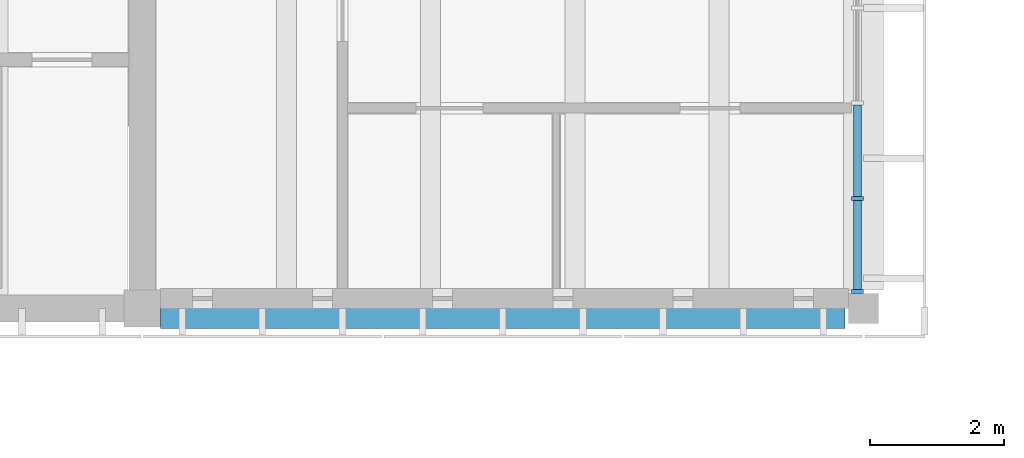
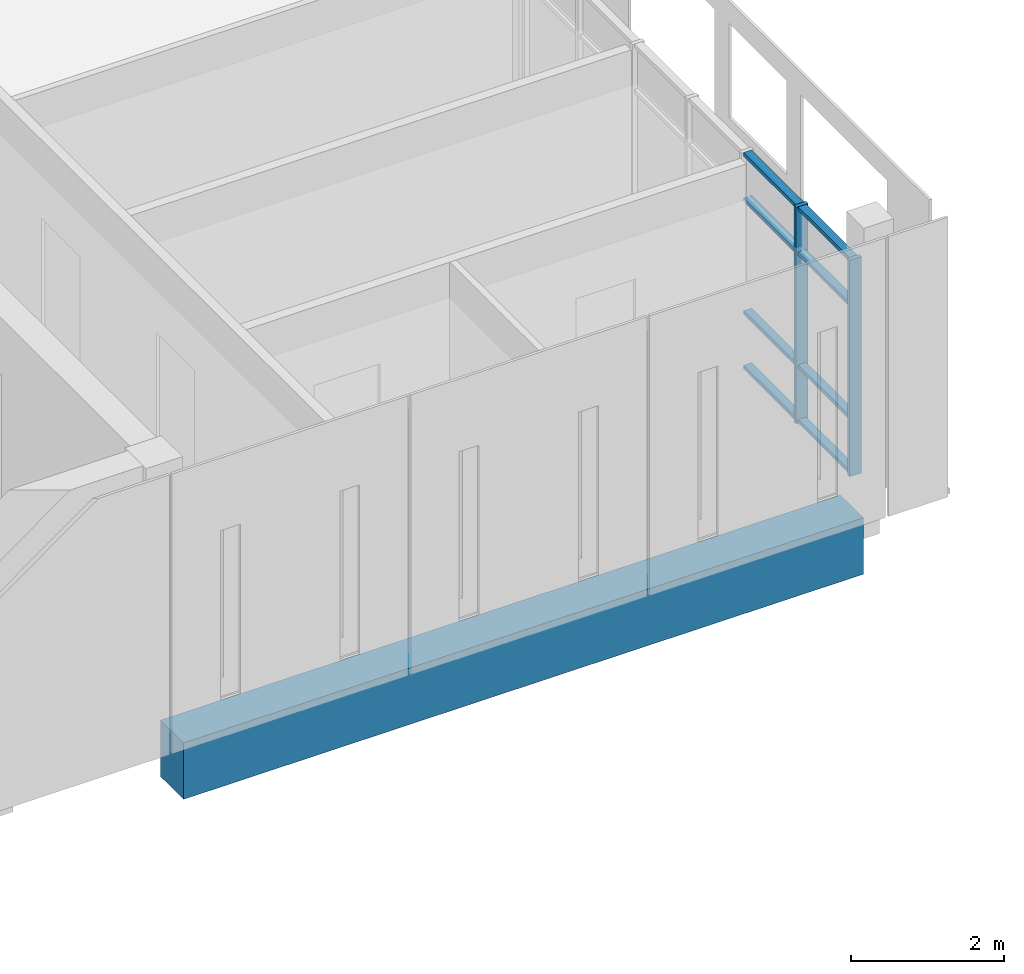
# One storey, part 5 of 50: 10 members, 1 beam, 1 element without a shape of its own.
"""IFC4 building model written with IfcOpenShell, lengths in metres."""

from ifc_helpers import new_model, si_unit, direction, frame, origin, origin_2d, place, context, subcontext, project, spatial, rectangle, extrude, material, material_profile, profile_set, type_object, element, aggregate, save


model = new_model("IFC4")

# Units and contexts
model_context = context("Model", 3, precision=1e-05, world=origin(), true_north=direction((0.0, 1.0)))
body_context = subcontext(model_context, "Body", "Model", "MODEL_VIEW")
ifc_project = project(units=[si_unit("LENGTHUNIT", "METRE"), si_unit("AREAUNIT", "SQUARE_METRE"), si_unit("VOLUMEUNIT", "CUBIC_METRE"), si_unit("PLANEANGLEUNIT", "RADIAN"), si_unit("MASSUNIT", "GRAM", prefix="KILO")], contexts=[model_context])

# Site, building, storey
site_placement = place(None, origin())
site = spatial("IfcSite", under=ifc_project, at=site_placement, CompositionType="ELEMENT")
building_placement = place(site_placement, origin())
building = spatial("IfcBuilding", under=site, at=building_placement, Name="Merrow Basin Faculty of Sciences", CompositionType="ELEMENT")
storey_placement = place(building_placement, frame((0.0, 0.0, 18.0)))
storey = spatial("IfcBuildingStorey", under=building, at=storey_placement, Name="L04", CompositionType="ELEMENT", Elevation=18.0)

# Curtain wall, members
ifc_material_1 = material(Name="Aluminium alloy 6063", Category="aluminium")
curtain_wall_type = type_object("IfcCurtainWallType", Name="Bar unitised curtain wall 180", PredefinedType="NOTDEFINED", material=ifc_material_1)
curtain_wall_placement = place(storey_placement, origin())
curtain_wall = element("IfcCurtainWall", 1, at=curtain_wall_placement, inside=storey, type_object=curtain_wall_type, Name="East curtain wall L04 1", PredefinedType="NOTDEFINED")
ifc_material_2 = material(Name="Aluminium alloy 6063", Category="aluminium")
ifc_material_profile_1 = material_profile(ifc_material_2, rectangle(XDim=0.179931640625, YDim=0.06005859375, at=origin_2d()))
ifc_profile_set_1 = profile_set([ifc_material_profile_1], Name="Aluminium alloy 6063")
member_type_1 = type_object("IfcMemberType", Name="Aluminium mullion 60x180", PredefinedType="MULLION", material=ifc_profile_set_1)
member_1_placement = place(storey_placement, frame((21.510009765625, 61.2548828125, 0.0), z_axis=(0.0, 0.0, 1.0), x_axis=(-1.0, 0.0, 0.0)))
member_1 = element("IfcMember", 2, at=member_1_placement, type_object=member_type_1, Name="CW1 mullion 1", PredefinedType="MULLION", context=body_context, shape_type="SweptSolid", body=[
    extrude(rectangle(XDim=0.179931640625, YDim=0.06005859375, at=origin_2d()), origin(), (0.0, 0.0, 1.0), 3.449951171875),
])
member_2_placement = place(storey_placement, frame((21.510009765625, 62.64990234375, 0.0), z_axis=(0.0, 0.0, 1.0), x_axis=(-1.0, 0.0, 0.0)))
member_2 = element("IfcMember", 3, at=member_2_placement, type_object=member_type_1, Name="CW1 mullion 2", PredefinedType="MULLION", context=body_context, shape_type="SweptSolid", body=[
    extrude(rectangle(XDim=0.179931640625, YDim=0.06005859375, at=origin_2d()), origin(), (0.0, 0.0, 1.0), 3.449951171875),
])
ifc_material_3 = material(Name="Aluminium alloy 6063", Category="aluminium")
ifc_material_profile_2 = material_profile(ifc_material_3, rectangle(XDim=0.1201171875, YDim=0.06005859375, at=origin_2d()))
ifc_profile_set_2 = profile_set([ifc_material_profile_2], Name="Aluminium alloy 6063")
member_type_2 = type_object("IfcMemberType", Name="Aluminium transom 60x120", PredefinedType="USERDEFINED", material=ifc_profile_set_2)
member_3_placement = place(storey_placement, frame((21.510009765625, 61.284912109375, 0.030029296875), z_axis=(0.0, 1.0, 0.0), x_axis=(-1.0, 0.0, 0.0)))
member_3 = element("IfcMember", 4, at=member_3_placement, type_object=member_type_2, Name="CW1 transom 1.1", ObjectType="TRANSOM", PredefinedType="USERDEFINED", context=body_context, shape_type="SweptSolid", body=[
    extrude(rectangle(XDim=0.1201171875, YDim=0.06005859375, at=origin_2d()), origin(), (0.0, 0.0, 1.0), 1.335205078125),
])
member_4_placement = place(storey_placement, frame((21.510009765625, 61.284912109375, 0.89990234375), z_axis=(0.0, 1.0, 0.0), x_axis=(-1.0, 0.0, 0.0)))
member_4 = element("IfcMember", 5, at=member_4_placement, type_object=member_type_2, Name="CW1 transom 1.2", ObjectType="TRANSOM", PredefinedType="USERDEFINED", context=body_context, shape_type="SweptSolid", body=[
    extrude(rectangle(XDim=0.1201171875, YDim=0.06005859375, at=origin_2d()), origin(), (0.0, 0.0, 1.0), 1.335205078125),
])
member_5_placement = place(storey_placement, frame((21.510009765625, 61.284912109375, 2.699951171875), z_axis=(0.0, 1.0, 0.0), x_axis=(-1.0, 0.0, 0.0)))
member_5 = element("IfcMember", 6, at=member_5_placement, type_object=member_type_2, Name="CW1 transom 1.3", ObjectType="TRANSOM", PredefinedType="USERDEFINED", context=body_context, shape_type="SweptSolid", body=[
    extrude(rectangle(XDim=0.1201171875, YDim=0.06005859375, at=origin_2d()), origin(), (0.0, 0.0, 1.0), 1.335205078125),
])
member_6_placement = place(storey_placement, frame((21.510009765625, 61.284912109375, 3.419921875), z_axis=(0.0, 1.0, 0.0), x_axis=(-1.0, 0.0, 0.0)))
member_6 = element("IfcMember", 7, at=member_6_placement, type_object=member_type_2, Name="CW1 transom 1.4", ObjectType="TRANSOM", PredefinedType="USERDEFINED", context=body_context, shape_type="SweptSolid", body=[
    extrude(rectangle(XDim=0.1201171875, YDim=0.06005859375, at=origin_2d()), origin(), (0.0, 0.0, 1.0), 1.335205078125),
])
member_7_placement = place(storey_placement, frame((21.510009765625, 62.679931640625, 0.030029296875), z_axis=(0.0, 1.0, 0.0), x_axis=(-1.0, 0.0, 0.0)))
member_7 = element("IfcMember", 8, at=member_7_placement, type_object=member_type_2, Name="CW1 transom 2.1", ObjectType="TRANSOM", PredefinedType="USERDEFINED", context=body_context, shape_type="SweptSolid", body=[
    extrude(rectangle(XDim=0.1201171875, YDim=0.06005859375, at=origin_2d()), origin(), (0.0, 0.0, 1.0), 1.364990234375),
])
member_8_placement = place(storey_placement, frame((21.510009765625, 62.679931640625, 0.89990234375), z_axis=(0.0, 1.0, 0.0), x_axis=(-1.0, 0.0, 0.0)))
member_8 = element("IfcMember", 9, at=member_8_placement, type_object=member_type_2, Name="CW1 transom 2.2", ObjectType="TRANSOM", PredefinedType="USERDEFINED", context=body_context, shape_type="SweptSolid", body=[
    extrude(rectangle(XDim=0.1201171875, YDim=0.06005859375, at=origin_2d()), origin(), (0.0, 0.0, 1.0), 1.364990234375),
])
member_9_placement = place(storey_placement, frame((21.510009765625, 62.679931640625, 2.699951171875), z_axis=(0.0, 1.0, 0.0), x_axis=(-1.0, 0.0, 0.0)))
member_9 = element("IfcMember", 10, at=member_9_placement, type_object=member_type_2, Name="CW1 transom 2.3", ObjectType="TRANSOM", PredefinedType="USERDEFINED", context=body_context, shape_type="SweptSolid", body=[
    extrude(rectangle(XDim=0.1201171875, YDim=0.06005859375, at=origin_2d()), origin(), (0.0, 0.0, 1.0), 1.364990234375),
])
member_10_placement = place(storey_placement, frame((21.510009765625, 62.679931640625, 3.419921875), z_axis=(0.0, 1.0, 0.0), x_axis=(-1.0, 0.0, 0.0)))
member_10 = element("IfcMember", 11, at=member_10_placement, type_object=member_type_2, Name="CW1 transom 2.4", ObjectType="TRANSOM", PredefinedType="USERDEFINED", context=body_context, shape_type="SweptSolid", body=[
    extrude(rectangle(XDim=0.1201171875, YDim=0.06005859375, at=origin_2d()), origin(), (0.0, 0.0, 1.0), 1.364990234375),
])
aggregate(curtain_wall, [member_1, member_2, member_3, member_4, member_5, member_6, member_7, member_8, member_9, member_10])

# Beam
ifc_material_4 = material(Name="Concrete C40/50", Category="concrete")
ifc_material_profile_3 = material_profile(ifc_material_4, rectangle(XDim=0.60009765625, YDim=0.89990234375, at=origin_2d()))
ifc_profile_set_3 = profile_set([ifc_material_profile_3], Name="Concrete C40/50")
beam_type = type_object("IfcBeamType", Name="Beam RC600x900 C40/50", PredefinedType="BEAM", material=ifc_profile_set_3)
beam_placement = place(storey_placement, frame((11.074951171875, 61.0, -0.75), z_axis=(1.0, 0.0, 0.0), x_axis=(0.0, 1.0, 0.0)))
element("IfcBeam", 12, at=beam_placement, inside=storey, type_object=beam_type, Name="B1 L04 001", PredefinedType="BEAM", context=body_context, shape_type="SweptSolid", body=[
    extrude(rectangle(XDim=0.60009765625, YDim=0.89990234375, at=origin_2d()), origin(), (0.0, 0.0, 1.0), 10.25),
])

save(model, "model.ifc")
